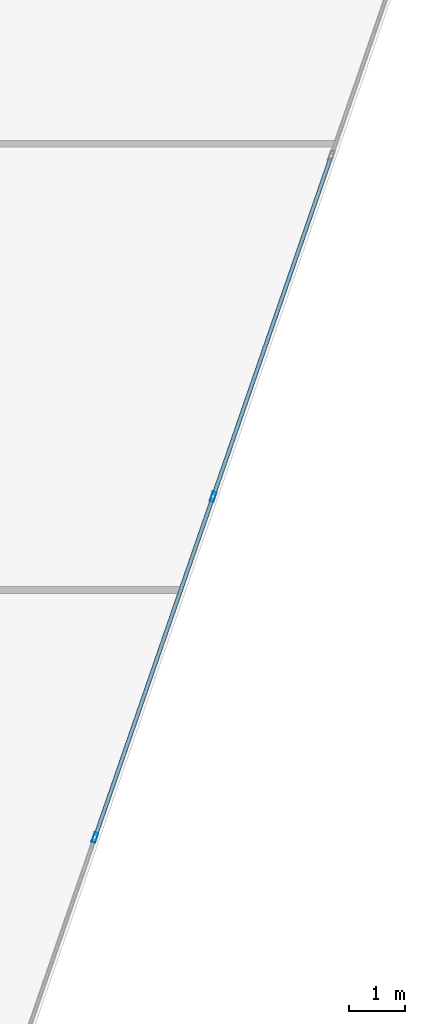
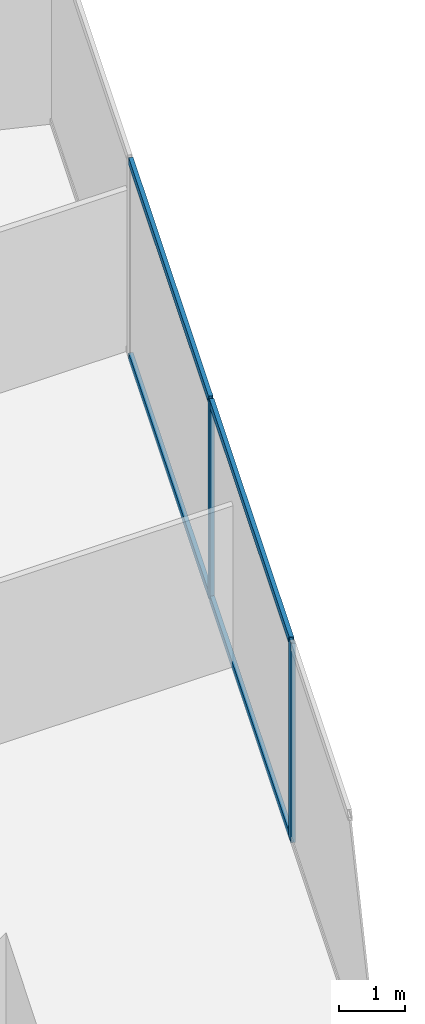
# One storey, part 13 of 27: 6 members, 1 element without a shape of its own.
"""IFC4 building model written with IfcOpenShell, lengths in metres."""

from ifc_helpers import new_model, si_unit, direction, frame, origin, origin_2d, place, context, subcontext, project, spatial, hollow_rectangle, extrude, source, transform, mapped, material, material_profile, profile_set, type_object, type_shapes, element, aggregate, save


model = new_model("IFC4")

# Units and contexts
model_context = context("Model", 3, precision=1e-05, world=origin(), true_north=direction((0.0, 1.0)))
body_context = subcontext(model_context, "Body", "Model", "MODEL_VIEW")
ifc_project = project(units=[si_unit("LENGTHUNIT", "METRE"), si_unit("AREAUNIT", "SQUARE_METRE"), si_unit("VOLUMEUNIT", "CUBIC_METRE"), si_unit("PLANEANGLEUNIT", "RADIAN"), si_unit("MASSUNIT", "GRAM", prefix="KILO")], contexts=[model_context])

# Site, building, storey
site_placement = place(None, origin())
site = spatial("IfcSite", under=ifc_project, at=site_placement, CompositionType="ELEMENT")
building_placement = place(site_placement, origin())
building = spatial("IfcBuilding", under=site, at=building_placement, Name="Krantzveldt Concourse Tower", CompositionType="ELEMENT")
storey_placement = place(building_placement, frame((0.0, 0.0, 125.60009765625)))
storey = spatial("IfcBuildingStorey", under=building, at=storey_placement, Name="L30", CompositionType="ELEMENT", Elevation=125.60009765625)

# Curtain wall, members
ifc_material = material(Name="Anodised aluminium 6063-T6", Category="aluminium")
curtain_wall_type = type_object("IfcCurtainWallType", Name="CW2", PredefinedType="USERDEFINED", material=ifc_material)
curtain_wall_placement = place(storey_placement, origin())
curtain_wall = element("IfcCurtainWall", 1, at=curtain_wall_placement, inside=storey, type_object=curtain_wall_type, Name="CW-L30-F07", ObjectType="UNITISED CURTAIN WALL", PredefinedType="USERDEFINED")
ifc_material_profile_1 = material_profile(ifc_material, hollow_rectangle(XDim=0.070068359375, YDim=0.179931640625, WallThickness=0.0048828125, at=origin_2d()), Name="Anodised aluminium 6063-T6", Category="aluminium")
ifc_profile_set_1 = profile_set([ifc_material_profile_1], Name="Anodised aluminium 6063-T6 - ALU-MULL 180x70x5")
member_type_1 = type_object("IfcMemberType", Name="CW-MUL-180", PredefinedType="MULLION", material=ifc_profile_set_1)
shared_shape_1 = source(origin(), body_context, "Body", "SweptSolid", [
    extrude(hollow_rectangle(XDim=0.070068359375, YDim=0.179931640625, WallThickness=0.0048828125, at=origin_2d()), origin(), (0.0, 0.0, 1.0), 3.669921875),
])
type_shapes(member_type_1, [shared_shape_1])
member_1_placement = place(storey_placement, frame((58.0234375, 19.06298828125, 0.0), z_axis=(0.0, 0.0, 1.0), x_axis=(-0.944806041446, 0.32763019404, 0.0)))
member_1 = element("IfcMember", 2, at=member_1_placement, type_object=member_type_1, Name="CW-Z12 mullion 4", PredefinedType="MULLION", context=body_context, shape_type="MappedRepresentation", body=[
    mapped(shared_shape_1, transform((0.0, 0.0, 0.0), x_axis=(1.0, 0.0, 0.0), y_axis=(0.0, 1.0, 0.0), z_axis=(0.0, 0.0, 1.0), scale=1.0)),
])
member_2_placement = place(storey_placement, frame((60.14208984375, 25.172607421875, 0.0), z_axis=(0.0, 0.0, 1.0), x_axis=(-0.944806041446, 0.32763019404, 0.0)))
member_2 = element("IfcMember", 3, at=member_2_placement, type_object=member_type_1, Name="CW-Z12 mullion 5", PredefinedType="MULLION", context=body_context, shape_type="MappedRepresentation", body=[
    mapped(shared_shape_1, transform((0.0, 0.0, 0.0), x_axis=(1.0, 0.0, 0.0), y_axis=(0.0, 1.0, 0.0), z_axis=(0.0, 0.0, 1.0), scale=1.0)),
])
ifc_material_profile_2 = material_profile(ifc_material, hollow_rectangle(XDim=0.070068359375, YDim=0.139892578125, WallThickness=0.0048828125, at=origin_2d()), Name="Anodised aluminium 6063-T6", Category="aluminium")
ifc_profile_set_2 = profile_set([ifc_material_profile_2], Name="Anodised aluminium 6063-T6 - ALU-TRAN 140x70x5")
member_type_2 = type_object("IfcMemberType", Name="CW-TRN-150", PredefinedType="USERDEFINED", material=ifc_profile_set_2)
shared_shape_2 = source(origin(), body_context, "Body", "SweptSolid", [
    extrude(hollow_rectangle(XDim=0.070068359375, YDim=0.139892578125, WallThickness=0.0048828125, at=origin_2d()), origin(), (0.0, 0.0, 1.0), 6.396728515625),
])
member_3_placement = place(storey_placement, frame((58.034912109375, 19.095947265625, 0.034912109375), z_axis=(0.327620443666, 0.944809422525, 0.0), x_axis=(-0.944809422525, 0.327620443666, 0.0)))
member_3 = element("IfcMember", 4, at=member_3_placement, type_object=member_type_2, Name="CW-Z12 transom 4.1", ObjectType="TRANSOM", PredefinedType="USERDEFINED", context=body_context, shape_type="MappedRepresentation", body=[
    mapped(shared_shape_2, transform((0.0, 0.0, 0.0), x_axis=(1.0, 0.0, 0.0), y_axis=(0.0, 1.0, 0.0), z_axis=(0.0, 0.0, 1.0), scale=1.0)),
])
member_4_placement = place(storey_placement, frame((58.034912109375, 19.095947265625, 3.635009765625), z_axis=(0.327620443666, 0.944809422525, 0.0), x_axis=(-0.944809422525, 0.327620443666, 0.0)))
member_4 = element("IfcMember", 5, at=member_4_placement, type_object=member_type_2, Name="CW-Z12 transom 4.2", ObjectType="TRANSOM", PredefinedType="USERDEFINED", context=body_context, shape_type="MappedRepresentation", body=[
    mapped(shared_shape_2, transform((0.0, 0.0, 0.0), x_axis=(1.0, 0.0, 0.0), y_axis=(0.0, 1.0, 0.0), z_axis=(0.0, 0.0, 1.0), scale=1.0)),
])
shared_shape_3 = source(origin(), body_context, "Body", "SweptSolid", [
    extrude(hollow_rectangle(XDim=0.070068359375, YDim=0.139892578125, WallThickness=0.0048828125, at=origin_2d()), origin(), (0.0, 0.0, 1.0), 6.396484375),
])
type_shapes(member_type_2, [shared_shape_2, shared_shape_3])
member_5_placement = place(storey_placement, frame((60.153564453125, 25.205810546875, 0.034912109375), z_axis=(0.327632258054, 0.944805325706, 0.0), x_axis=(-0.944805325706, 0.327632258054, 0.0)))
member_5 = element("IfcMember", 6, at=member_5_placement, type_object=member_type_2, Name="CW-Z12 transom 5.1", ObjectType="TRANSOM", PredefinedType="USERDEFINED", context=body_context, shape_type="MappedRepresentation", body=[
    mapped(shared_shape_3, transform((0.0, 0.0, 0.0), x_axis=(1.0, 0.0, 0.0), y_axis=(0.0, 1.0, 0.0), z_axis=(0.0, 0.0, 1.0), scale=1.0)),
])
member_6_placement = place(storey_placement, frame((60.153564453125, 25.205810546875, 3.635009765625), z_axis=(0.327632258054, 0.944805325706, 0.0), x_axis=(-0.944805325706, 0.327632258054, 0.0)))
member_6 = element("IfcMember", 7, at=member_6_placement, type_object=member_type_2, Name="CW-Z12 transom 5.2", ObjectType="TRANSOM", PredefinedType="USERDEFINED", context=body_context, shape_type="MappedRepresentation", body=[
    mapped(shared_shape_3, transform((0.0, 0.0, 0.0), x_axis=(1.0, 0.0, 0.0), y_axis=(0.0, 1.0, 0.0), z_axis=(0.0, 0.0, 1.0), scale=1.0)),
])
aggregate(curtain_wall, [member_1, member_2, member_3, member_4, member_5, member_6])

save(model, "model.ifc")
